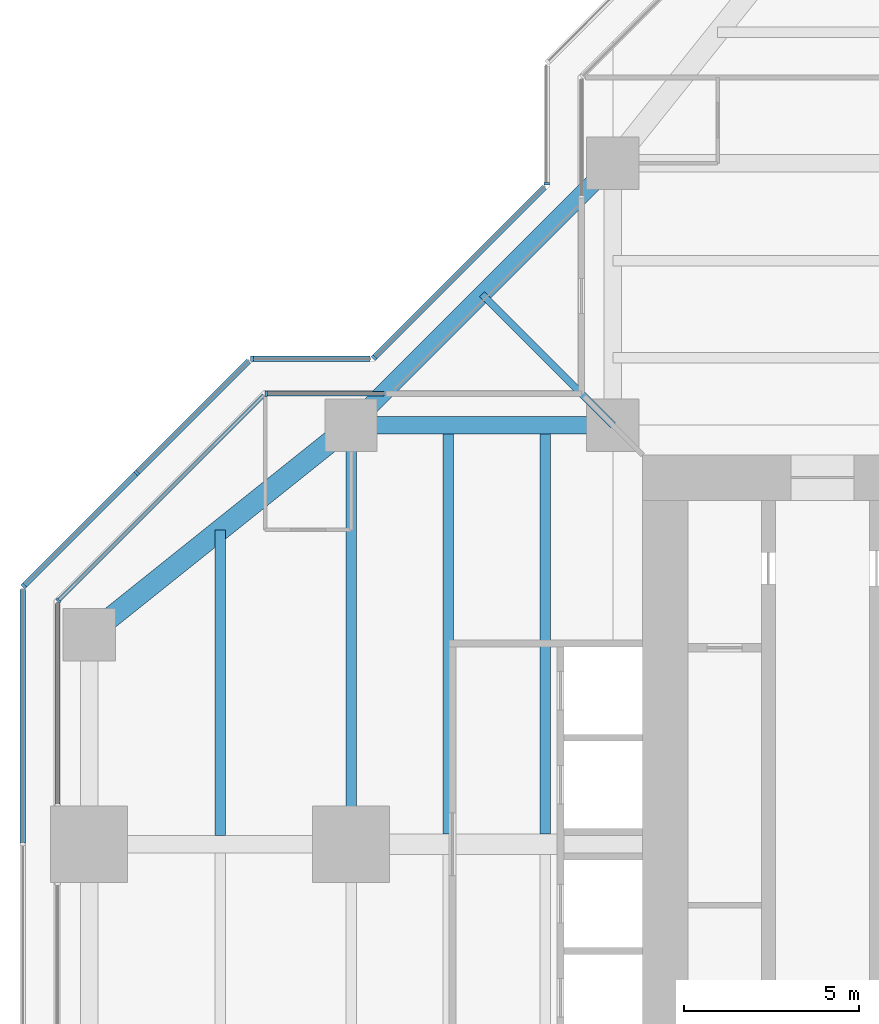
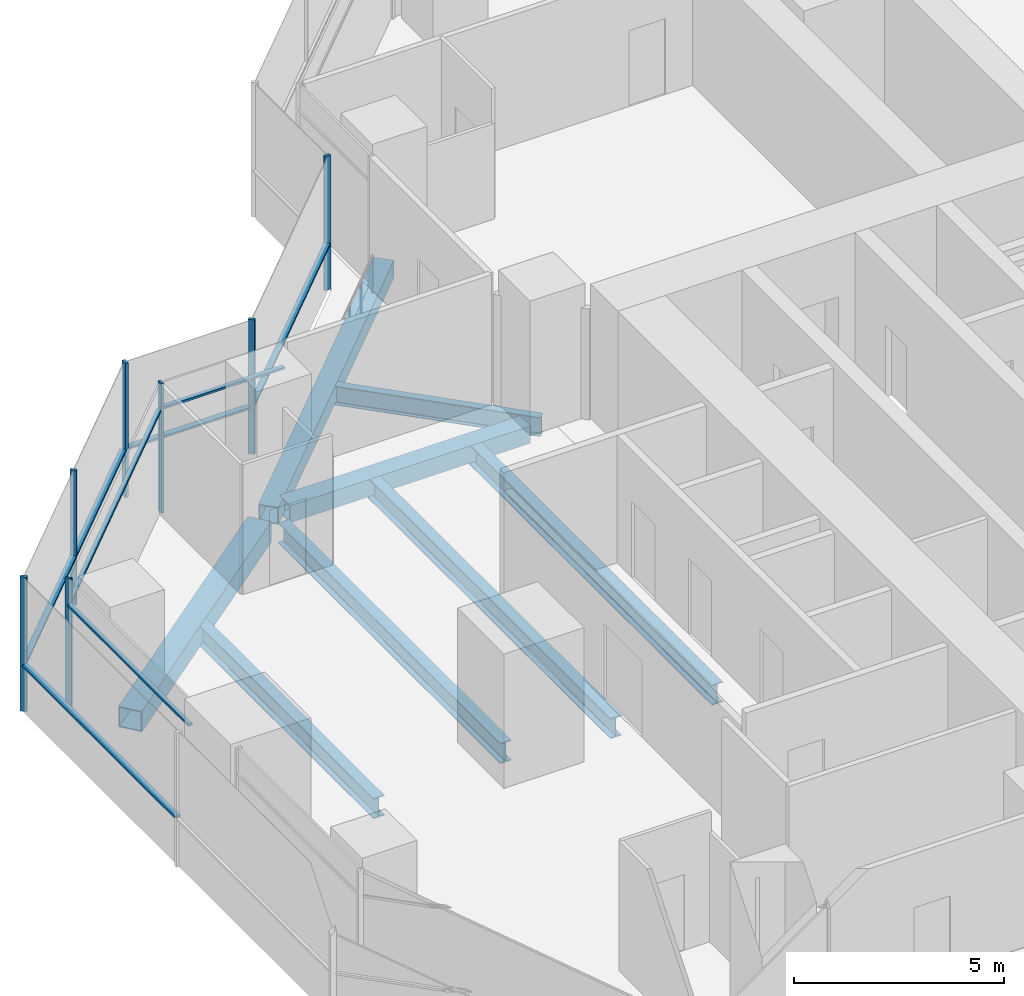
# One storey, part 6 of 17: 15 members, 8 beams, 8 elements without a shape of their own.
"""IFC4 building model written with IfcOpenShell, lengths in metres."""

from ifc_helpers import new_model, si_unit, direction, frame, origin, origin_2d, place, context, subcontext, project, spatial, rectangle, hollow_rectangle, i_section, extrude, material, material_profile, profile_set, type_object, element, aggregate, save


model = new_model("IFC4")

# Units and contexts
model_context = context("Model", 3, precision=1e-05, world=origin(), true_north=direction((0.0, 1.0)))
body_context = subcontext(model_context, "Body", "Model", "MODEL_VIEW")
ifc_project = project(units=[si_unit("LENGTHUNIT", "METRE"), si_unit("AREAUNIT", "SQUARE_METRE"), si_unit("VOLUMEUNIT", "CUBIC_METRE"), si_unit("PLANEANGLEUNIT", "RADIAN"), si_unit("MASSUNIT", "GRAM", prefix="KILO")], contexts=[model_context])

# Site, building, storey
site_placement = place(None, origin())
site = spatial("IfcSite", under=ifc_project, at=site_placement, CompositionType="ELEMENT")
building_placement = place(site_placement, origin())
building = spatial("IfcBuilding", under=site, at=building_placement, Name="Mizan Broadcast Tower", CompositionType="ELEMENT")
storey_placement = place(building_placement, frame((0.0, 0.0, 259.5)))
storey = spatial("IfcBuildingStorey", under=building, at=storey_placement, Name="L61", CompositionType="ELEMENT", Elevation=259.5)

# Beams
ifc_material_1 = material(Name="Steel S355", Category="steel")
ifc_material_profile_1 = material_profile(ifc_material_1, hollow_rectangle(XDim=0.5, YDim=0.5, WallThickness=0.030029296875, at=origin_2d()), Name="BOX 500x500x30")
ifc_profile_set_1 = profile_set([ifc_material_profile_1], Name="Steel S355")
beam_type_1 = type_object("IfcBeamType", Name="EDGE BEAM BOX 500x500x30", PredefinedType="SPANDREL", material=ifc_profile_set_1)
beam_1_placement = place(storey_placement, frame((-12.449951171875, 12.0, -0.3798828125), z_axis=(-1.0, 0.0, 0.0), x_axis=(0.0, -1.0, 0.0)))
element("IfcBeam", 1, at=beam_1_placement, inside=storey, type_object=beam_type_1, Name="Edge beam BOX 500x500x30 L61 west arm", PredefinedType="SPANDREL", context=body_context, shape_type="SweptSolid", body=[
    extrude(hollow_rectangle(XDim=0.5, YDim=0.5, WallThickness=0.030029296875, at=origin_2d()), origin(), (0.0, 0.0, 1.0), 6.60009765625),
])
beam_2_placement = place(storey_placement, frame((-12.0, 19.5, -0.3798828125), z_axis=(-0.707106781187, -0.707106781187, 0.0), x_axis=(0.707106781187, -0.707106781187, 0.0)))
element("IfcBeam", 2, at=beam_2_placement, inside=storey, type_object=beam_type_1, Name="Winter garden edge beam L61 N", PredefinedType="SPANDREL", context=body_context, shape_type="SweptSolid", body=[
    extrude(hollow_rectangle(XDim=0.5, YDim=0.5, WallThickness=0.030029296875, at=origin_2d()), origin(), (0.0, 0.0, 1.0), 10.606689453125),
])
ifc_material_2 = material(Name="Steel S355", Category="steel")
ifc_material_profile_2 = material_profile(ifc_material_2, hollow_rectangle(XDim=0.60009765625, YDim=0.60009765625, WallThickness=0.030029296875, at=origin_2d()), Name="BOX 600x600x30")
ifc_profile_set_2 = profile_set([ifc_material_profile_2], Name="Steel S355")
beam_type_2 = type_object("IfcBeamType", Name="EDGE BEAM BOX 600x600x30", PredefinedType="SPANDREL", material=ifc_profile_set_2)
beam_3_placement = place(storey_placement, frame((-19.949951171875, 11.639892578125, -0.429931640625), z_axis=(-0.780885717636, -0.624673911726, 0.0), x_axis=(0.624673911726, -0.780885717636, 0.0)))
element("IfcBeam", 3, at=beam_3_placement, inside=storey, type_object=beam_type_2, Name="Edge beam BOX 600x600x30 L61 west arm", PredefinedType="SPANDREL", context=body_context, shape_type="SweptSolid", body=[
    extrude(hollow_rectangle(XDim=0.60009765625, YDim=0.60009765625, WallThickness=0.030029296875, at=origin_2d()), origin(), (0.0, 0.0, 1.0), 8.4521484375),
])
ifc_material_3 = material(Name="Steel S355", Category="steel")
ifc_material_profile_3 = material_profile(ifc_material_3, i_section(OverallWidth=0.300048828125, OverallDepth=0.590087890625, WebThickness=0.012939453125, FlangeThickness=0.02490234375, FilletRadius=0.027099609375, at=origin_2d()), Name="HEA 600")
ifc_profile_set_3 = profile_set([ifc_material_profile_3], Name="Steel S355")
beam_type_3 = type_object("IfcBeamType", Name="GIRDER HEA 600", PredefinedType="BEAM", material=ifc_profile_set_3)
beam_4_placement = place(storey_placement, frame((-19.5, 11.280029296875, -0.425048828125), z_axis=(0.0, -1.0, 0.0), x_axis=(1.0, 0.0, 0.0)))
element("IfcBeam", 4, at=beam_4_placement, inside=storey, type_object=beam_type_3, Name="Girder HEA 600 L61 west arm", PredefinedType="BEAM", context=body_context, shape_type="SweptSolid", body=[
    extrude(i_section(OverallWidth=0.300048828125, OverallDepth=0.590087890625, WebThickness=0.012939453125, FlangeThickness=0.02490234375, FilletRadius=0.027099609375, at=origin_2d()), origin(), (0.0, 0.0, 1.0), 10.56005859375),
])

# Curtain wall, member
ifc_material_4 = material(Name="Aluminium framed glazing", Category="aluminium")
curtain_wall_type_1 = type_object("IfcCurtainWallType", Name="INNER SKIN HIGH ZONE", PredefinedType="USERDEFINED", material=ifc_material_4)
curtain_wall_1_placement = place(storey_placement, origin())
curtain_wall_1 = element("IfcCurtainWall", 5, at=curtain_wall_1_placement, inside=storey, type_object=curtain_wall_type_1, Name="Inner skin high zone L61 W side", ObjectType="INNER SKIN HIGH ZONE", PredefinedType="USERDEFINED")
ifc_material_5 = material(Name="Aluminium, pale anodised", Category="aluminium")
ifc_material_profile_4 = material_profile(ifc_material_5, rectangle(XDim=0.159912109375, YDim=0.06005859375, at=origin_2d()), Name="MULLION 160x60")
ifc_profile_set_4 = profile_set([ifc_material_profile_4], Name="Aluminium, pale anodised")
member_type_1 = type_object("IfcMemberType", Name="INNER SKIN MULLION 60x160", PredefinedType="MULLION", material=ifc_profile_set_4)
member_1_placement = place(storey_placement, frame((-21.928466796875, 12.89990234375, 0.0), z_axis=(0.0, 0.0, 1.0), x_axis=(0.0, -1.0, 0.0)))
member_1 = element("IfcMember", 6, at=member_1_placement, type_object=member_type_1, Name="Inner skin high zone L61 W side mullion 2", PredefinedType="MULLION", context=body_context, shape_type="SweptSolid", body=[
    extrude(rectangle(XDim=0.159912109375, YDim=0.06005859375, at=origin_2d()), origin(), (0.0, 0.0, 1.0), 3.77001953125),
])

curtain_wall_2_placement = place(storey_placement, origin())
curtain_wall_2 = element("IfcCurtainWall", 7, at=curtain_wall_2_placement, inside=storey, type_object=curtain_wall_type_1, Name="Inner skin high zone L61 W chamfer", ObjectType="INNER SKIN HIGH ZONE", PredefinedType="USERDEFINED")
member_2_placement = place(storey_placement, frame((-27.87890625, 6.979736328125, 0.0), z_axis=(0.0, 0.0, 1.0), x_axis=(0.707106781187, -0.707106781187, 0.0)))
member_2 = element("IfcMember", 8, at=member_2_placement, type_object=member_type_1, Name="Inner skin high zone L61 W chamfer mullion 2", PredefinedType="MULLION", context=body_context, shape_type="SweptSolid", body=[
    extrude(rectangle(XDim=0.159912109375, YDim=0.06005859375, at=origin_2d()), origin(), (0.0, 0.0, 1.0), 3.77001953125),
])

# Member
ifc_material_6 = material(Name="Aluminium, pale anodised", Category="aluminium")
ifc_material_profile_5 = material_profile(ifc_material_6, rectangle(XDim=0.1201171875, YDim=0.06005859375, at=origin_2d()), Name="TRANSOM 120x60")
ifc_profile_set_5 = profile_set([ifc_material_profile_5], Name="Aluminium, pale anodised")
member_type_2 = type_object("IfcMemberType", Name="INNER SKIN TRANSOM 60x120", PredefinedType="USERDEFINED", material=ifc_profile_set_5)
member_3_placement = place(storey_placement, frame((-18.56005859375, 12.89990234375, 3.030029296875), z_axis=(-1.0, 0.0, 0.0), x_axis=(0.0, -1.0, 0.0)))
member_3 = element("IfcMember", 9, at=member_3_placement, type_object=member_type_2, Name="Inner skin high zone L61 W side transom 1.1", ObjectType="TRANSOM", PredefinedType="USERDEFINED", context=body_context, shape_type="SweptSolid", body=[
    extrude(rectangle(XDim=0.1201171875, YDim=0.06005859375, at=origin_2d()), origin(), (0.0, 0.0, 1.0), 3.338623046875),
])

aggregate(curtain_wall_1, [member_1, member_3])

member_4_placement = place(storey_placement, frame((-22.0009765625, 12.857666015625, 3.030029296875), z_axis=(-0.707106781187, -0.707106781187, 0.0), x_axis=(0.707106781187, -0.707106781187, 0.0)))
member_4 = element("IfcMember", 10, at=member_4_placement, type_object=member_type_2, Name="Inner skin high zone L61 W chamfer transom 1.1", ObjectType="TRANSOM", PredefinedType="USERDEFINED", context=body_context, shape_type="SweptSolid", body=[
    extrude(rectangle(XDim=0.1201171875, YDim=0.06005859375, at=origin_2d()), origin(), (0.0, 0.0, 1.0), 8.28271484375),
])

aggregate(curtain_wall_2, [member_2, member_4])

# Curtain wall, member
curtain_wall_3_placement = place(storey_placement, origin())
curtain_wall_3 = element("IfcCurtainWall", 11, at=curtain_wall_3_placement, inside=storey, type_object=curtain_wall_type_1, Name="Inner skin high zone L61 W end", ObjectType="INNER SKIN HIGH ZONE", PredefinedType="USERDEFINED")
member_5_placement = place(storey_placement, frame((-27.89990234375, 6.898681640625, 3.030029296875), z_axis=(0.0, -1.0, 0.0), x_axis=(1.0, 0.0, 0.0)))
member_5 = element("IfcMember", 12, at=member_5_placement, type_object=member_type_2, Name="Inner skin high zone L61 W end transom 1.1", ObjectType="TRANSOM", PredefinedType="USERDEFINED", context=body_context, shape_type="SweptSolid", body=[
    extrude(rectangle(XDim=0.1201171875, YDim=0.06005859375, at=origin_2d()), origin(), (0.0, 0.0, 1.0), 5.73876953125),
])
aggregate(curtain_wall_3, [member_5])

ifc_material_7 = material(Name="Aluminium framed glazing", Category="aluminium")
curtain_wall_type_2 = type_object("IfcCurtainWallType", Name="OUTER SKIN", PredefinedType="USERDEFINED", material=ifc_material_7)
curtain_wall_4_placement = place(storey_placement, origin())
curtain_wall_4 = element("IfcCurtainWall", 13, at=curtain_wall_4_placement, inside=storey, type_object=curtain_wall_type_2, Name="Outer skin L61 N side", ObjectType="OUTER SKIN", PredefinedType="USERDEFINED")
ifc_material_8 = material(Name="Aluminium, pale anodised", Category="aluminium")
ifc_material_profile_6 = material_profile(ifc_material_8, rectangle(XDim=0.159912109375, YDim=0.080078125, at=origin_2d()), Name="MULLION 160x80")
ifc_profile_set_6 = profile_set([ifc_material_profile_6], Name="Aluminium, pale anodised")
member_type_3 = type_object("IfcMemberType", Name="OUTER SKIN MULLION 80x160", PredefinedType="MULLION", material=ifc_profile_set_6)
member_6_placement = place(storey_placement, frame((-13.89990234375, 18.912841796875, 0.0), z_axis=(0.0, 0.0, 1.0), x_axis=(1.0, 0.0, 0.0)))
member_6 = element("IfcMember", 14, at=member_6_placement, type_object=member_type_3, Name="Outer skin L61 N side mullion 2", PredefinedType="MULLION", context=body_context, shape_type="SweptSolid", body=[
    extrude(rectangle(XDim=0.159912109375, YDim=0.080078125, at=origin_2d()), origin(), (0.0, 0.0, 1.0), 3.89990234375),
])
aggregate(curtain_wall_4, [member_6])

curtain_wall_5_placement = place(storey_placement, origin())
curtain_wall_5 = element("IfcCurtainWall", 15, at=curtain_wall_5_placement, inside=storey, type_object=curtain_wall_type_2, Name="Outer skin L61 W chamfer", ObjectType="OUTER SKIN", PredefinedType="USERDEFINED")
member_7_placement = place(storey_placement, frame((-18.844482421875, 13.92822265625, 0.0), z_axis=(0.0, 0.0, 1.0), x_axis=(0.707106781187, -0.707106781187, 0.0)))
member_7 = element("IfcMember", 16, at=member_7_placement, type_object=member_type_3, Name="Outer skin L61 W chamfer mullion 2", PredefinedType="MULLION", context=body_context, shape_type="SweptSolid", body=[
    extrude(rectangle(XDim=0.159912109375, YDim=0.080078125, at=origin_2d()), origin(), (0.0, 0.0, 1.0), 3.89990234375),
])

curtain_wall_6_placement = place(storey_placement, origin())
curtain_wall_6 = element("IfcCurtainWall", 17, at=curtain_wall_6_placement, inside=storey, type_object=curtain_wall_type_2, Name="Outer skin L61 W side", ObjectType="OUTER SKIN", PredefinedType="USERDEFINED")
member_8_placement = place(storey_placement, frame((-22.332763671875, 13.89990234375, 0.0), z_axis=(0.0, 0.0, 1.0), x_axis=(0.0, -1.0, 0.0)))
member_8 = element("IfcMember", 18, at=member_8_placement, type_object=member_type_3, Name="Outer skin L61 W side mullion 2", PredefinedType="MULLION", context=body_context, shape_type="SweptSolid", body=[
    extrude(rectangle(XDim=0.159912109375, YDim=0.080078125, at=origin_2d()), origin(), (0.0, 0.0, 1.0), 3.89990234375),
])

# Curtain wall, members
curtain_wall_7_placement = place(storey_placement, origin())
curtain_wall_7 = element("IfcCurtainWall", 19, at=curtain_wall_7_placement, inside=storey, type_object=curtain_wall_type_2, Name="Outer skin L61 W chamfer", ObjectType="OUTER SKIN", PredefinedType="USERDEFINED")
member_9_placement = place(storey_placement, frame((-25.636474609375, 10.636474609375, 0.0), z_axis=(0.0, 0.0, 1.0), x_axis=(0.707106781187, -0.707106781187, 0.0)))
member_9 = element("IfcMember", 20, at=member_9_placement, type_object=member_type_3, Name="Outer skin L61 W chamfer mullion 2", PredefinedType="MULLION", context=body_context, shape_type="SweptSolid", body=[
    extrude(rectangle(XDim=0.159912109375, YDim=0.080078125, at=origin_2d()), origin(), (0.0, 0.0, 1.0), 3.89990234375),
])
member_10_placement = place(storey_placement, frame((-28.871826171875, 7.401123046875, 0.0), z_axis=(0.0, 0.0, 1.0), x_axis=(0.707106781187, -0.707106781187, 0.0)))
member_10 = element("IfcMember", 21, at=member_10_placement, type_object=member_type_3, Name="Outer skin L61 W chamfer mullion 3", PredefinedType="MULLION", context=body_context, shape_type="SweptSolid", body=[
    extrude(rectangle(XDim=0.159912109375, YDim=0.080078125, at=origin_2d()), origin(), (0.0, 0.0, 1.0), 3.89990234375),
])

# Member
ifc_material_9 = material(Name="Aluminium, pale anodised", Category="aluminium")
ifc_material_profile_7 = material_profile(ifc_material_9, rectangle(XDim=0.159912109375, YDim=0.06005859375, at=origin_2d()), Name="TRANSOM 160x60")
ifc_profile_set_7 = profile_set([ifc_material_profile_7], Name="Aluminium, pale anodised")
member_type_4 = type_object("IfcMemberType", Name="OUTER SKIN TRANSOM 60x160", PredefinedType="USERDEFINED", material=ifc_profile_set_7)
member_11_placement = place(storey_placement, frame((-13.95654296875, 18.816162109375, 1.39990234375), z_axis=(-0.707106781187, -0.707106781187, 0.0), x_axis=(0.707106781187, -0.707106781187, 0.0)))
member_11 = element("IfcMember", 22, at=member_11_placement, type_object=member_type_4, Name="Outer skin L61 W chamfer transom 1.1", ObjectType="TRANSOM", PredefinedType="USERDEFINED", context=body_context, shape_type="SweptSolid", body=[
    extrude(rectangle(XDim=0.159912109375, YDim=0.06005859375, at=origin_2d()), origin(), (0.0, 0.0, 1.0), 6.87255859375),
])

aggregate(curtain_wall_5, [member_7, member_11])

member_12_placement = place(storey_placement, frame((-18.952880859375, 13.89990234375, 1.39990234375), z_axis=(-1.0, 0.0, 0.0), x_axis=(0.0, -1.0, 0.0)))
member_12 = element("IfcMember", 23, at=member_12_placement, type_object=member_type_4, Name="Outer skin L61 W side transom 1.1", ObjectType="TRANSOM", PredefinedType="USERDEFINED", context=body_context, shape_type="SweptSolid", body=[
    extrude(rectangle(XDim=0.159912109375, YDim=0.06005859375, at=origin_2d()), origin(), (0.0, 0.0, 1.0), 3.33984375),
])

aggregate(curtain_wall_6, [member_8, member_12])

member_13_placement = place(storey_placement, frame((-22.429443359375, 13.843505859375, 1.39990234375), z_axis=(-0.707106781187, -0.707106781187, 0.0), x_axis=(0.707106781187, -0.707106781187, 0.0)))
member_13 = element("IfcMember", 24, at=member_13_placement, type_object=member_type_4, Name="Outer skin L61 W chamfer transom 1.1", ObjectType="TRANSOM", PredefinedType="USERDEFINED", context=body_context, shape_type="SweptSolid", body=[
    extrude(rectangle(XDim=0.159912109375, YDim=0.06005859375, at=origin_2d()), origin(), (0.0, 0.0, 1.0), 4.495361328125),
])

member_14_placement = place(storey_placement, frame((-25.664794921875, 10.608154296875, 1.39990234375), z_axis=(-0.707106781187, -0.707106781187, 0.0), x_axis=(0.707106781187, -0.707106781187, 0.0)))
member_14 = element("IfcMember", 25, at=member_14_placement, type_object=member_type_4, Name="Outer skin L61 W chamfer transom 2.1", ObjectType="TRANSOM", PredefinedType="USERDEFINED", context=body_context, shape_type="SweptSolid", body=[
    extrude(rectangle(XDim=0.159912109375, YDim=0.06005859375, at=origin_2d()), origin(), (0.0, 0.0, 1.0), 4.495361328125),
])

aggregate(curtain_wall_7, [member_9, member_10, member_13, member_14])

# Curtain wall, member
curtain_wall_8_placement = place(storey_placement, origin())
curtain_wall_8 = element("IfcCurtainWall", 26, at=curtain_wall_8_placement, inside=storey, type_object=curtain_wall_type_2, Name="Outer skin L61 W end", ObjectType="OUTER SKIN", PredefinedType="USERDEFINED")
member_15_placement = place(storey_placement, frame((-28.89990234375, 7.292724609375, 1.39990234375), z_axis=(0.0, -1.0, 0.0), x_axis=(1.0, 0.0, 0.0)))
member_15 = element("IfcMember", 27, at=member_15_placement, type_object=member_type_4, Name="Outer skin L61 W end transom 1.1", ObjectType="TRANSOM", PredefinedType="USERDEFINED", context=body_context, shape_type="SweptSolid", body=[
    extrude(rectangle(XDim=0.159912109375, YDim=0.06005859375, at=origin_2d()), origin(), (0.0, 0.0, 1.0), 7.252685546875),
])
aggregate(curtain_wall_8, [member_15])

# Beams
ifc_material_10 = material(Name="Steel S355", Category="steel")
ifc_material_profile_8 = material_profile(ifc_material_10, i_section(OverallWidth=0.300048828125, OverallDepth=0.590087890625, WebThickness=0.012939453125, FlangeThickness=0.02490234375, FilletRadius=0.027099609375, at=origin_2d()), Name="HEA 600")
ifc_profile_set_8 = profile_set([ifc_material_profile_8], Name="Steel S355")
beam_type_4 = type_object("IfcBeamType", Name="SECONDARY BEAM HEA 600", PredefinedType="JOIST", material=ifc_profile_set_8)
for number, where, z_axis, x_axis, name in (
    (28, (-13.933349609375, 12.0, -0.425048828125), (0.0, -1.0, 0.0), (1.0, 0.0, 0.0), "Secondary beam HEA 600 L61 west arm"),
    (29, (-16.716552734375, 12.0, -0.425048828125), (0.0, -1.0, 0.0), (1.0, 0.0, 0.0), "Secondary beam HEA 600 L61 west arm"),
):
    element("IfcBeam", number, at=place(storey_placement, frame(where, z_axis=z_axis, x_axis=x_axis)), inside=storey, type_object=beam_type_4, Name=name, PredefinedType="JOIST", context=body_context, shape_type="SweptSolid", body=[
        extrude(i_section(OverallWidth=0.300048828125, OverallDepth=0.590087890625, WebThickness=0.012939453125, FlangeThickness=0.02490234375, FilletRadius=0.027099609375, at=origin_2d()), origin(), (0.0, 0.0, 1.0), 11.699951171875),
    ])
beam_5_placement = place(storey_placement, frame((-23.25, 9.0, -0.425048828125), z_axis=(0.0, -1.0, 0.0), x_axis=(1.0, 0.0, 0.0)))
element("IfcBeam", 30, at=beam_5_placement, inside=storey, type_object=beam_type_4, Name="Secondary beam HEA 600 L61 west arm", PredefinedType="JOIST", context=body_context, shape_type="SweptSolid", body=[
    extrude(i_section(OverallWidth=0.300048828125, OverallDepth=0.590087890625, WebThickness=0.012939453125, FlangeThickness=0.02490234375, FilletRadius=0.027099609375, at=origin_2d()), origin(), (0.0, 0.0, 1.0), 8.75),
])
ifc_material_11 = material(Name="Steel S355", Category="steel")
ifc_material_profile_9 = material_profile(ifc_material_11, i_section(OverallWidth=0.2099609375, OverallDepth=0.550048828125, WebThickness=0.010986328125, FlangeThickness=0.01708984375, FilletRadius=0.02392578125, at=origin_2d()), Name="IPE 550")
ifc_profile_set_9 = profile_set([ifc_material_profile_9], Name="Steel S355")
beam_type_5 = type_object("IfcBeamType", Name="SECONDARY BEAM IPE 550", PredefinedType="JOIST", material=ifc_profile_set_9)
beam_6_placement = place(storey_placement, frame((-12.0, 12.0, -0.405029296875), z_axis=(-0.707106781187, 0.707106781187, 0.0), x_axis=(-0.707106781187, -0.707106781187, 0.0)))
element("IfcBeam", 31, at=beam_6_placement, inside=storey, type_object=beam_type_5, Name="Winter garden beam L61 N", PredefinedType="JOIST", context=body_context, shape_type="SweptSolid", body=[
    extrude(i_section(OverallWidth=0.2099609375, OverallDepth=0.550048828125, WebThickness=0.010986328125, FlangeThickness=0.01708984375, FilletRadius=0.02392578125, at=origin_2d()), origin(), (0.0, 0.0, 1.0), 5.30322265625),
])

save(model, "model.ifc")
